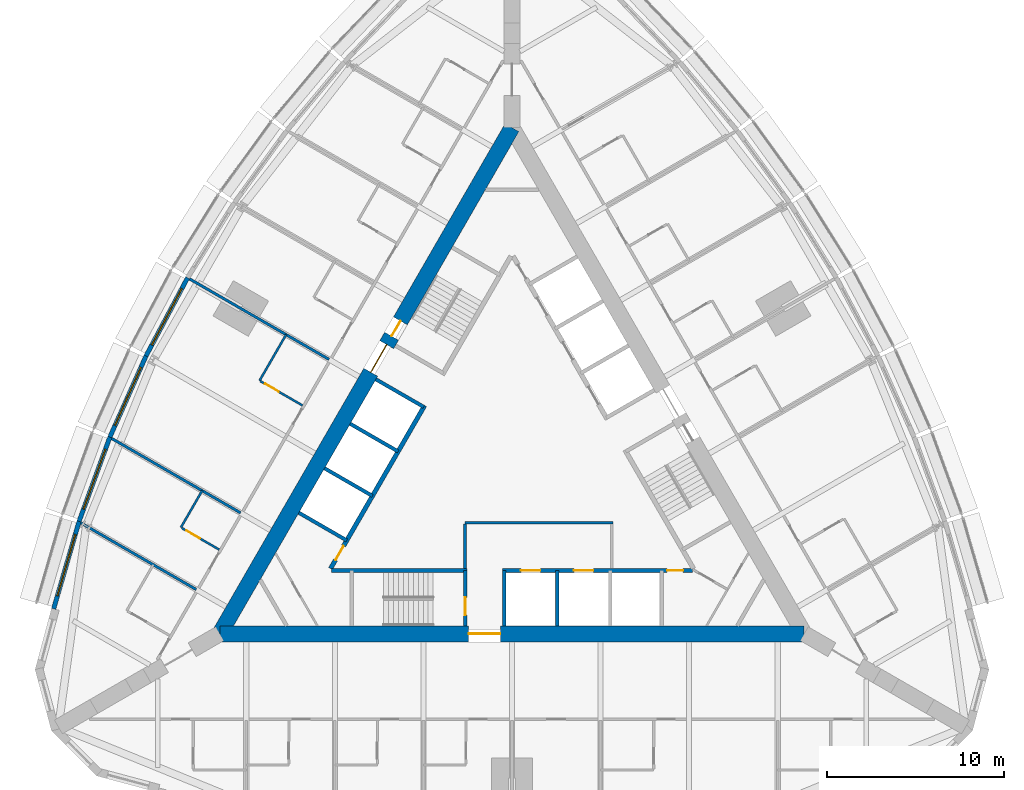
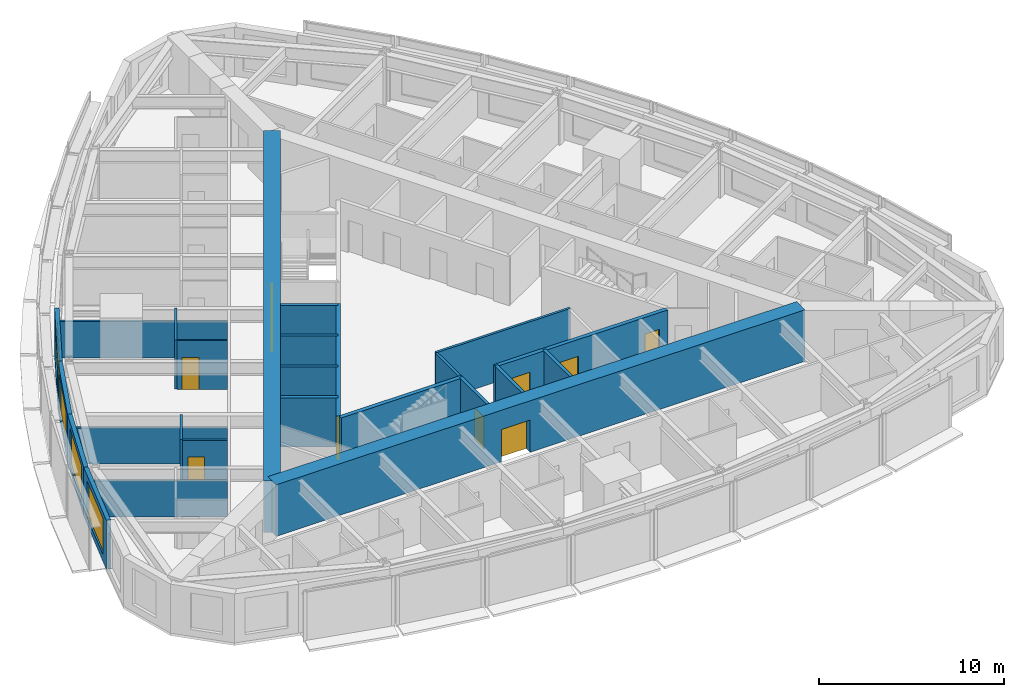
# One storey, part 9 of 14: 25 walls, 10 doors, 4 windows, 14 openings.
"""IFC4 building model written with IfcOpenShell, lengths in metres."""

from ifc_helpers import new_model, si_unit, direction, frame, frame_2d, origin, place, context, subcontext, project, spatial, rectangle, extrude, material, layer, layer_set, type_object, element, fill, save


model = new_model("IFC4")

# Units and contexts
model_context = context("Model", 3, precision=1e-05, world=origin(), true_north=direction((0.0, 1.0)))
body_context = subcontext(model_context, "Body", "Model", "MODEL_VIEW")
ifc_project = project(units=[si_unit("LENGTHUNIT", "METRE"), si_unit("AREAUNIT", "SQUARE_METRE"), si_unit("VOLUMEUNIT", "CUBIC_METRE"), si_unit("PLANEANGLEUNIT", "RADIAN"), si_unit("MASSUNIT", "GRAM", prefix="KILO")], contexts=[model_context])

# Site, building, storey
site_placement = place(None, origin())
site = spatial("IfcSite", under=ifc_project, at=site_placement, CompositionType="ELEMENT")
building_placement = place(site_placement, origin())
building = spatial("IfcBuilding", under=site, at=building_placement, Name="Trikona Tower", CompositionType="ELEMENT")
storey_placement = place(building_placement, frame((0.0, 0.0, 118.10009765625)))
storey = spatial("IfcBuildingStorey", under=building, at=storey_placement, Name="L30", CompositionType="ELEMENT", Elevation=118.10009765625)

# Wall
ifc_material_1 = material(Name="Metal stud and cement board", Category="gypsum")
ifc_layer_1 = layer(ifc_material_1, 0.1201171875)
ifc_layer_set_1 = layer_set([ifc_layer_1], Name="Bathroom wall 120")
wall_type_1 = type_object("IfcWallType", Name="Bathroom wall 120", PredefinedType="PLUMBINGWALL", material=ifc_layer_set_1)
wall_1_placement = place(storey_placement, frame((-12.75341796875, 7.363037109375, 0.0), z_axis=(0.0, 0.0, 1.0), x_axis=(-0.50002537861, -0.866010750942, 0.0)))
element("IfcWall", 1, at=wall_1_placement, inside=storey, type_object=wall_type_1, Name="Bathroom wall 3017", PredefinedType="PLUMBINGWALL", context=body_context, shape_type="SweptSolid", body=[
    extrude(rectangle(XDim=2.999755859375, YDim=0.1201171875, at=frame_2d((1.5, 0.0))), origin(), (0.0, 0.0, 1.0), 3.23486328125),
])

# Wall, opening, door
wall_2_placement = place(storey_placement, frame((-11.82861328125, 3.364990234375, 0.0), z_axis=(0.0, 0.0, 1.0), x_axis=(-0.865997131366, 0.500048966069, 0.0)))
wall_2 = element("IfcWall", 2, at=wall_2_placement, inside=storey, type_object=wall_type_1, Name="Bathroom wall 3017", PredefinedType="PLUMBINGWALL", context=body_context, shape_type="SweptSolid", body=[
    extrude(rectangle(XDim=2.739990234375, YDim=0.1201171875, at=frame_2d((1.3701171875, 0.0))), origin(), (0.0, 0.0, 1.0), 3.23486328125),
])
opening_1_placement = place(wall_2_placement, frame((1.550048828125, 0.0, 0.0)))
opening_1 = element("IfcOpeningElement", 3, at=opening_1_placement, cuts=wall_2, Name="Opening D2", PredefinedType="OPENING", context=body_context, shape_type="SweptSolid", body=[
    extrude(rectangle(XDim=0.89990234375, YDim=2.1298828125, at=frame_2d((0.449951171875, 1.06494140625))), frame((0.0, 0.070068359375, 0.0), z_axis=(0.0, -1.0, 0.0), x_axis=(1.0, 0.0, 0.0)), (0.0, 0.0, 1.0), 0.14013671875),
])
ifc_material_2 = material(Name="Steel door frame with solid-core timber leaf", Category="steel")
door_type_1 = type_object("IfcDoorType", Name="Bathroom door 900x2130", OperationType="SLIDING_TO_LEFT", PredefinedType="DOOR", material=ifc_material_2)
door_1_placement = place(opening_1_placement, origin())
door_1 = element("IfcDoor", 4, at=door_1_placement, inside=storey, type_object=door_type_1, Name="Bathroom door 3017", OperationType="SLIDING_TO_LEFT", OverallHeight=2.1298828125, OverallWidth=0.89990234375, PredefinedType="DOOR", context=body_context, shape_type="SweptSolid", body=[
    extrude(rectangle(XDim=0.89990234375, YDim=2.1298828125, at=frame_2d((0.449951171875, 1.06494140625))), frame((0.0, 0.02490234375, 0.0), z_axis=(0.0, -1.0, 0.0), x_axis=(1.0, 0.0, 0.0)), (0.0, 0.0, 1.0), 0.050048828125),
])
fill(opening_1, door_1)

# Wall
wall_3_placement = place(storey_placement, frame((-17.493408203125, -1.447021484375, 0.0), z_axis=(0.0, 0.0, 1.0), x_axis=(-0.500033551112, -0.866006032174, 0.0)))
element("IfcWall", 5, at=wall_3_placement, inside=storey, type_object=wall_type_1, Name="Bathroom wall 3018", PredefinedType="PLUMBINGWALL", context=body_context, shape_type="SweptSolid", body=[
    extrude(rectangle(XDim=2.400146484375, YDim=0.1201171875, at=frame_2d((1.2001953125, 0.0))), origin(), (0.0, 0.0, 1.0), 3.23486328125),
])

# Wall, opening, door
wall_4_placement = place(storey_placement, frame((-16.528564453125, -4.775634765625, 0.0), z_axis=(0.0, 0.0, 1.0), x_axis=(-0.866023955769, 0.500002508028, 0.0)))
wall_4 = element("IfcWall", 6, at=wall_4_placement, inside=storey, type_object=wall_type_1, Name="Bathroom wall 3018", PredefinedType="PLUMBINGWALL", context=body_context, shape_type="SweptSolid", body=[
    extrude(rectangle(XDim=2.43994140625, YDim=0.1201171875, at=frame_2d((1.219970703125, 0.0))), origin(), (0.0, 0.0, 1.0), 3.23486328125),
])
opening_2_placement = place(wall_4_placement, frame((1.25, 0.0, 0.0)))
opening_2 = element("IfcOpeningElement", 7, at=opening_2_placement, cuts=wall_4, Name="Opening D2", PredefinedType="OPENING", context=body_context, shape_type="SweptSolid", body=[
    extrude(rectangle(XDim=0.89990234375, YDim=2.1298828125, at=frame_2d((0.449951171875, 1.06494140625))), frame((0.0, 0.070068359375, 0.0), z_axis=(0.0, -1.0, 0.0), x_axis=(1.0, 0.0, 0.0)), (0.0, 0.0, 1.0), 0.14013671875),
])
door_2_placement = place(opening_2_placement, origin())
door_2 = element("IfcDoor", 8, at=door_2_placement, inside=storey, type_object=door_type_1, Name="Bathroom door 3018", OperationType="SLIDING_TO_LEFT", OverallHeight=2.1298828125, OverallWidth=0.89990234375, PredefinedType="DOOR", context=body_context, shape_type="SweptSolid", body=[
    extrude(rectangle(XDim=0.89990234375, YDim=2.1298828125, at=frame_2d((0.449951171875, 1.06494140625))), frame((0.0, 0.02490234375, 0.0), z_axis=(0.0, -1.0, 0.0), x_axis=(1.0, 0.0, 0.0)), (0.0, 0.0, 1.0), 0.050048828125),
])
fill(opening_2, door_2)

ifc_material_3 = material(Name="Concrete f'c 10000 psi", Category="concrete")
ifc_layer_2 = layer(ifc_material_3, 0.89990234375)
ifc_layer_set_2 = layer_set([ifc_layer_2], Name="Core wall 900")
wall_type_2 = type_object("IfcWallType", Name="Core wall 900", PredefinedType="SHEAR", material=ifc_layer_set_2)
wall_5_placement = place(storey_placement, frame((-16.5, -9.5263671875, 0.0), z_axis=(0.0, 0.0, 1.0), x_axis=(1.0, 0.0, 0.0)))
wall_5 = element("IfcWall", 9, at=wall_5_placement, inside=storey, type_object=wall_type_2, Name="Core wall A", PredefinedType="SHEAR", context=body_context, shape_type="SweptSolid", body=[
    extrude(rectangle(XDim=33.0, YDim=0.89990234375, at=frame_2d((16.5, 0.0))), origin(), (0.0, 0.0, 1.0), 3.39990234375),
])
opening_3_placement = place(wall_5_placement, frame((14.050048828125, 0.0, 0.0)))
opening_3 = element("IfcOpeningElement", 10, at=opening_3_placement, cuts=wall_5, Name="Opening D6", PredefinedType="OPENING", context=body_context, shape_type="SweptSolid", body=[
    extrude(rectangle(XDim=1.800048828125, YDim=2.1298828125, at=frame_2d((0.89990234375, 1.06494140625))), frame((0.0, 0.4599609375, 0.0), z_axis=(0.0, -1.0, 0.0), x_axis=(1.0, 0.0, 0.0)), (0.0, 0.0, 1.0), 0.919921875),
])
ifc_material_4 = material(Name="Hollow metal door and frame", Category="steel")
door_type_2 = type_object("IfcDoorType", Name="Lobby door pair 1800x2130", OperationType="DOUBLE_DOOR_SINGLE_SWING", PredefinedType="DOOR", material=ifc_material_4)
door_3_placement = place(opening_3_placement, origin())
door_3 = element("IfcDoor", 11, at=door_3_placement, inside=storey, type_object=door_type_2, Name="Fire service lift lobby door", OperationType="DOUBLE_DOOR_SINGLE_SWING", OverallHeight=2.1298828125, OverallWidth=1.800048828125, PredefinedType="DOOR", context=body_context, shape_type="SweptSolid", body=[
    extrude(rectangle(XDim=1.800048828125, YDim=2.1298828125, at=frame_2d((0.89990234375, 1.06494140625))), frame((0.0, 0.02490234375, 0.0), z_axis=(0.0, -1.0, 0.0), x_axis=(1.0, 0.0, 0.0)), (0.0, 0.0, 1.0), 0.050048828125),
])
fill(opening_3, door_3)

# Wall, openings, doors
wall_6_placement = place(storey_placement, frame((0.0, 19.052490234375, 0.0), z_axis=(0.0, 0.0, 1.0), x_axis=(-0.499999749417, -0.866025548458, 0.0)))
wall_6 = element("IfcWall", 12, at=wall_6_placement, inside=storey, type_object=wall_type_2, Name="Core wall C", PredefinedType="SHEAR", context=body_context, shape_type="SweptSolid", body=[
    extrude(rectangle(XDim=33.0, YDim=0.89990234375, at=frame_2d((16.5, 0.0))), origin(), (0.0, 0.0, 1.0), 3.39990234375),
])
opening_4_placement = place(wall_6_placement, frame((14.14990234375, 0.0, 0.0)))
opening_4 = element("IfcOpeningElement", 13, at=opening_4_placement, cuts=wall_6, Name="Opening D6", PredefinedType="OPENING", context=body_context, shape_type="SweptSolid", body=[
    extrude(rectangle(XDim=1.800048828125, YDim=2.1298828125, at=frame_2d((0.89990234375, 1.06494140625))), frame((0.0, 0.4599609375, 0.0), z_axis=(0.0, -1.0, 0.0), x_axis=(1.0, 0.0, 0.0)), (0.0, 0.0, 1.0), 0.919921875),
])
opening_5_placement = place(wall_6_placement, frame((12.60009765625, 0.0, 0.0)))
opening_5 = element("IfcOpeningElement", 14, at=opening_5_placement, cuts=wall_6, Name="Opening D5", PredefinedType="OPENING", context=body_context, shape_type="SweptSolid", body=[
    extrude(rectangle(XDim=1.0, YDim=2.1298828125, at=frame_2d((0.5, 1.06494140625))), frame((0.0, 0.4599609375, 0.0), z_axis=(0.0, -1.0, 0.0), x_axis=(1.0, 0.0, 0.0)), (0.0, 0.0, 1.0), 0.919921875),
])
door_4_placement = place(opening_4_placement, origin())
door_4 = element("IfcDoor", 15, at=door_4_placement, inside=storey, type_object=door_type_2, Name="Lift lobby door C", OperationType="DOUBLE_DOOR_SINGLE_SWING", OverallHeight=2.1298828125, OverallWidth=1.800048828125, PredefinedType="DOOR", context=body_context, shape_type="SweptSolid", body=[
    extrude(rectangle(XDim=1.800048828125, YDim=2.1298828125, at=frame_2d((0.89990234375, 1.06494140625))), frame((0.0, 0.02490234375, 0.0), z_axis=(0.0, -1.0, 0.0), x_axis=(1.0, 0.0, 0.0)), (0.0, 0.0, 1.0), 0.050048828125),
])
fill(opening_4, door_4)
ifc_material_5 = material(Name="Hollow metal door and frame", Category="steel")
door_type_3 = type_object("IfcDoorType", Name="Stair door 1000x2130", OperationType="SINGLE_SWING_LEFT", PredefinedType="DOOR", material=ifc_material_5)
door_5_placement = place(opening_5_placement, origin())
door_5 = element("IfcDoor", 16, at=door_5_placement, inside=storey, type_object=door_type_3, Name="Stair C door", OperationType="SINGLE_SWING_RIGHT", OverallHeight=2.1298828125, OverallWidth=1.0, PredefinedType="DOOR", context=body_context, shape_type="SweptSolid", body=[
    extrude(rectangle(XDim=1.0, YDim=2.1298828125, at=frame_2d((0.5, 1.06494140625))), frame((0.0, 0.02490234375, 0.0), z_axis=(0.0, -1.0, 0.0), x_axis=(1.0, 0.0, 0.0)), (0.0, 0.0, 1.0), 0.050048828125),
])
fill(opening_5, door_5)

# Wall
ifc_material_6 = material(Name="Concrete f'c 8000 psi", Category="concrete")
ifc_layer_3 = layer(ifc_material_6, 0.25)
ifc_layer_set_3 = layer_set([ifc_layer_3], Name="Hub wall 250")
wall_type_3 = type_object("IfcWallType", Name="Hub wall 250", PredefinedType="SOLIDWALL", material=ifc_layer_set_3)
wall_7_placement = place(storey_placement, frame((-10.182861328125, -5.951416015625, 0.0), z_axis=(0.0, 0.0, 1.0), x_axis=(1.0, 0.0, 0.0)))
element("IfcWall", 17, at=wall_7_placement, inside=storey, type_object=wall_type_3, Name="Lift lobby wall A1", PredefinedType="SOLIDWALL", context=body_context, shape_type="SweptSolid", body=[
    extrude(rectangle(XDim=7.6328125, YDim=0.25, at=frame_2d((3.81640625, 0.0))), origin(), (0.0, 0.0, 1.0), 3.23486328125),
])

# Wall, openings, doors
wall_8_placement = place(storey_placement, frame((-0.550048828125, -5.951416015625, 0.0), z_axis=(0.0, 0.0, 1.0), x_axis=(1.0, 0.0, 0.0)))
wall_8 = element("IfcWall", 18, at=wall_8_placement, inside=storey, type_object=wall_type_3, Name="Lift lobby wall A2", PredefinedType="SOLIDWALL", context=body_context, shape_type="SweptSolid", body=[
    extrude(rectangle(XDim=10.73291015625, YDim=0.25, at=frame_2d((5.366455078125, 0.0))), origin(), (0.0, 0.0, 1.0), 3.23486328125),
])
opening_6_placement = place(wall_8_placement, frame((9.31396484375, 0.0, 0.0)))
opening_6 = element("IfcOpeningElement", 19, at=opening_6_placement, cuts=wall_8, Name="Opening D14", PredefinedType="OPENING", context=body_context, shape_type="SweptSolid", body=[
    extrude(rectangle(XDim=0.89990234375, YDim=2.1298828125, at=frame_2d((0.449951171875, 1.06494140625))), frame((0.0, 0.135009765625, 0.0), z_axis=(0.0, -1.0, 0.0), x_axis=(1.0, 0.0, 0.0)), (0.0, 0.0, 1.0), 0.27001953125),
])
opening_7_placement = place(wall_8_placement, frame((1.050048828125, 0.0, 0.0)))
opening_7 = element("IfcOpeningElement", 20, at=opening_7_placement, cuts=wall_8, Name="Opening LD", PredefinedType="OPENING", context=body_context, shape_type="SweptSolid", body=[
    extrude(rectangle(XDim=1.10009765625, YDim=2.1298828125, at=frame_2d((0.550048828125, 1.06494140625))), frame((0.0, 0.135009765625, 0.0), z_axis=(0.0, -1.0, 0.0), x_axis=(1.0, 0.0, 0.0)), (0.0, 0.0, 1.0), 0.27001953125),
])
opening_8_placement = place(wall_8_placement, frame((4.050048828125, 0.0, 0.0)))
opening_8 = element("IfcOpeningElement", 21, at=opening_8_placement, cuts=wall_8, Name="Opening LD", PredefinedType="OPENING", context=body_context, shape_type="SweptSolid", body=[
    extrude(rectangle(XDim=1.10009765625, YDim=2.1298828125, at=frame_2d((0.550048828125, 1.06494140625))), frame((0.0, 0.135009765625, 0.0), z_axis=(0.0, -1.0, 0.0), x_axis=(1.0, 0.0, 0.0)), (0.0, 0.0, 1.0), 0.27001953125),
])
ifc_material_7 = material(Name="Stainless steel lift landing door", Category="steel")
door_type_4 = type_object("IfcDoorType", Name="Lift landing door 1100x2130", OperationType="DOUBLE_DOOR_SLIDING", PredefinedType="USERDEFINED", material=ifc_material_7)
door_6_placement = place(opening_7_placement, origin())
door_6 = element("IfcDoor", 22, at=door_6_placement, inside=storey, type_object=door_type_4, Name="Lift landing door FF1", ObjectType="LIFT LANDING DOOR", OperationType="DOUBLE_DOOR_SLIDING", OverallHeight=2.1298828125, OverallWidth=1.10009765625, PredefinedType="USERDEFINED", context=body_context, shape_type="SweptSolid", body=[
    extrude(rectangle(XDim=1.10009765625, YDim=2.1298828125, at=frame_2d((0.550048828125, 1.06494140625))), frame((0.0, 0.02490234375, 0.0), z_axis=(0.0, -1.0, 0.0), x_axis=(1.0, 0.0, 0.0)), (0.0, 0.0, 1.0), 0.050048828125),
])
fill(opening_7, door_6)
door_7_placement = place(opening_8_placement, origin())
door_7 = element("IfcDoor", 23, at=door_7_placement, inside=storey, type_object=door_type_4, Name="Lift landing door FF2", ObjectType="LIFT LANDING DOOR", OperationType="DOUBLE_DOOR_SLIDING", OverallHeight=2.1298828125, OverallWidth=1.10009765625, PredefinedType="USERDEFINED", context=body_context, shape_type="SweptSolid", body=[
    extrude(rectangle(XDim=1.10009765625, YDim=2.1298828125, at=frame_2d((0.550048828125, 1.06494140625))), frame((0.0, 0.02490234375, 0.0), z_axis=(0.0, -1.0, 0.0), x_axis=(1.0, 0.0, 0.0)), (0.0, 0.0, 1.0), 0.050048828125),
])
fill(opening_8, door_7)
ifc_material_8 = material(Name="Hollow metal door and frame", Category="steel")
door_type_5 = type_object("IfcDoorType", Name="Service room door 900x2130", OperationType="SINGLE_SWING_LEFT", PredefinedType="DOOR", material=ifc_material_8)
door_8_placement = place(opening_6_placement, origin())
door_8 = element("IfcDoor", 24, at=door_8_placement, inside=storey, type_object=door_type_5, Name="Door Ice and vending ICE", OperationType="SINGLE_SWING_RIGHT", OverallHeight=2.1298828125, OverallWidth=0.89990234375, PredefinedType="DOOR", context=body_context, shape_type="SweptSolid", body=[
    extrude(rectangle(XDim=0.89990234375, YDim=2.1298828125, at=frame_2d((0.449951171875, 1.06494140625))), frame((0.0, 0.02490234375, 0.0), z_axis=(0.0, -1.0, 0.0), x_axis=(1.0, 0.0, 0.0)), (0.0, 0.0, 1.0), 0.050048828125),
])
fill(opening_6, door_8)

# Wall, opening, door
wall_9_placement = place(storey_placement, frame((-4.928955078125, 3.365478515625, 0.0), z_axis=(0.0, 0.0, 1.0), x_axis=(-0.499991433582, -0.866030349552, 0.0)))
wall_9 = element("IfcWall", 25, at=wall_9_placement, inside=storey, type_object=wall_type_3, Name="Lift lobby wall C2", PredefinedType="SOLIDWALL", context=body_context, shape_type="SweptSolid", body=[
    extrude(rectangle(XDim=10.633056640625, YDim=0.25, at=frame_2d((5.31640625, 0.0))), origin(), (0.0, 0.0, 1.0), 3.23486328125),
])
opening_9_placement = place(wall_9_placement, frame((9.1640625, 0.0, 0.0)))
opening_9 = element("IfcOpeningElement", 26, at=opening_9_placement, cuts=wall_9, Name="Opening D14", PredefinedType="OPENING", context=body_context, shape_type="SweptSolid", body=[
    extrude(rectangle(XDim=0.89990234375, YDim=2.1298828125, at=frame_2d((0.449951171875, 1.06494140625))), frame((0.0, 0.135009765625, 0.0), z_axis=(0.0, -1.0, 0.0), x_axis=(1.0, 0.0, 0.0)), (0.0, 0.0, 1.0), 0.27001953125),
])
door_9_placement = place(opening_9_placement, origin())
door_9 = element("IfcDoor", 27, at=door_9_placement, inside=storey, type_object=door_type_5, Name="Door Housekeeping store HKS", OperationType="SINGLE_SWING_RIGHT", OverallHeight=2.1298828125, OverallWidth=0.89990234375, PredefinedType="DOOR", context=body_context, shape_type="SweptSolid", body=[
    extrude(rectangle(XDim=0.89990234375, YDim=2.1298828125, at=frame_2d((0.449951171875, 1.06494140625))), frame((0.0, 0.02490234375, 0.0), z_axis=(0.0, -1.0, 0.0), x_axis=(1.0, 0.0, 0.0)), (0.0, 0.0, 1.0), 0.050048828125),
])
fill(opening_9, door_9)

# Wall, opening, window
ifc_material_9 = material(Name="Insulated precast concrete spandrel panel", Category="concrete")
ifc_layer_4 = layer(ifc_material_9, 0.25)
ifc_layer_set_4 = layer_set([ifc_layer_4], Name="Inner skin wall 250")
wall_type_4 = type_object("IfcWallType", Name="Inner skin wall 250", PredefinedType="STANDARD", material=ifc_layer_set_4)
wall_10_placement = place(storey_placement, frame((-18.314453125, 10.578857421875, 0.0), z_axis=(0.0, 0.0, 1.0), x_axis=(-0.469404966864, -0.882982999317, 0.0)))
wall_10 = element("IfcWall", 28, at=wall_10_placement, inside=storey, type_object=wall_type_4, Name="External wall L30-28", PredefinedType="STANDARD", context=body_context, shape_type="SweptSolid", body=[
    extrude(rectangle(XDim=5.0029296875, YDim=0.25, at=frame_2d((2.50146484375, 0.0))), origin(), (0.0, 0.0, 1.0), 3.23486328125),
])
opening_10_placement = place(wall_10_placement, frame((0.701416015625, 0.0, 0.449951171875)))
opening_10 = element("IfcOpeningElement", 29, at=opening_10_placement, cuts=wall_10, Name="Opening W3624", PredefinedType="OPENING", context=body_context, shape_type="SweptSolid", body=[
    extrude(rectangle(XDim=3.60009765625, YDim=2.39990234375, at=frame_2d((1.800048828125, 1.199951171875))), frame((0.0, 0.135009765625, 0.0), z_axis=(0.0, -1.0, 0.0), x_axis=(1.0, 0.0, 0.0)), (0.0, 0.0, 1.0), 0.27001953125),
])
ifc_material_10 = material(Name="Aluminium-framed double glazing", Category="aluminium")
window_type = type_object("IfcWindowType", Name="Window 3600x2400", PartitioningType="SINGLE_PANEL", PredefinedType="WINDOW", material=ifc_material_10)
window_1_placement = place(opening_10_placement, origin())
window_1 = element("IfcWindow", 30, at=window_1_placement, inside=storey, type_object=window_type, Name="Window 3017", OverallHeight=2.39990234375, OverallWidth=3.60009765625, PartitioningType="SINGLE_PANEL", PredefinedType="WINDOW", context=body_context, shape_type="SweptSolid", body=[
    extrude(rectangle(XDim=3.60009765625, YDim=2.39990234375, at=frame_2d((1.800048828125, 1.199951171875))), frame((0.0, 0.030029296875, 0.0), z_axis=(0.0, -1.0, 0.0), x_axis=(1.0, 0.0, 0.0)), (0.0, 0.0, 1.0), 0.06005859375),
])
fill(opening_10, window_1)

wall_11_placement = place(storey_placement, frame((-20.6591796875, 6.169189453125, 0.0), z_axis=(0.0, 0.0, 1.0), x_axis=(-0.406832200364, -0.913502906808, 0.0)))
wall_11 = element("IfcWall", 31, at=wall_11_placement, inside=storey, type_object=wall_type_4, Name="External wall L30-29", PredefinedType="STANDARD", context=body_context, shape_type="SweptSolid", body=[
    extrude(rectangle(XDim=5.027587890625, YDim=0.25, at=frame_2d((2.513671875, 0.0))), origin(), (0.0, 0.0, 1.0), 3.23486328125),
])
opening_11_placement = place(wall_11_placement, frame((0.713623046875, 0.0, 0.449951171875)))
opening_11 = element("IfcOpeningElement", 32, at=opening_11_placement, cuts=wall_11, Name="Opening W3624", PredefinedType="OPENING", context=body_context, shape_type="SweptSolid", body=[
    extrude(rectangle(XDim=3.60009765625, YDim=2.39990234375, at=frame_2d((1.800048828125, 1.199951171875))), frame((0.0, 0.135009765625, 0.0), z_axis=(0.0, -1.0, 0.0), x_axis=(1.0, 0.0, 0.0)), (0.0, 0.0, 1.0), 0.27001953125),
])
window_2_placement = place(opening_11_placement, origin())
window_2 = element("IfcWindow", 33, at=window_2_placement, inside=storey, type_object=window_type, Name="Window 3017", OverallHeight=2.39990234375, OverallWidth=3.60009765625, PartitioningType="SINGLE_PANEL", PredefinedType="WINDOW", context=body_context, shape_type="SweptSolid", body=[
    extrude(rectangle(XDim=3.60009765625, YDim=2.39990234375, at=frame_2d((1.800048828125, 1.199951171875))), frame((0.0, 0.030029296875, 0.0), z_axis=(0.0, -1.0, 0.0), x_axis=(1.0, 0.0, 0.0)), (0.0, 0.0, 1.0), 0.06005859375),
])
fill(opening_11, window_2)

wall_12_placement = place(storey_placement, frame((-22.701416015625, 1.58447265625, 0.0), z_axis=(0.0, 0.0, 1.0), x_axis=(-0.343225593282, -0.939252996863, 0.0)))
wall_12 = element("IfcWall", 34, at=wall_12_placement, inside=storey, type_object=wall_type_4, Name="External wall L30-30", PredefinedType="STANDARD", context=body_context, shape_type="SweptSolid", body=[
    extrude(rectangle(XDim=5.075927734375, YDim=0.25, at=frame_2d((2.5380859375, 0.0))), origin(), (0.0, 0.0, 1.0), 3.23486328125),
])
opening_12_placement = place(wall_12_placement, frame((0.738037109375, 0.0, 0.449951171875)))
opening_12 = element("IfcOpeningElement", 35, at=opening_12_placement, cuts=wall_12, Name="Opening W3624", PredefinedType="OPENING", context=body_context, shape_type="SweptSolid", body=[
    extrude(rectangle(XDim=3.60009765625, YDim=2.39990234375, at=frame_2d((1.800048828125, 1.199951171875))), frame((0.0, 0.135009765625, 0.0), z_axis=(0.0, -1.0, 0.0), x_axis=(1.0, 0.0, 0.0)), (0.0, 0.0, 1.0), 0.27001953125),
])
window_3_placement = place(opening_12_placement, origin())
window_3 = element("IfcWindow", 36, at=window_3_placement, inside=storey, type_object=window_type, Name="Window 3018", OverallHeight=2.39990234375, OverallWidth=3.60009765625, PartitioningType="SINGLE_PANEL", PredefinedType="WINDOW", context=body_context, shape_type="SweptSolid", body=[
    extrude(rectangle(XDim=3.60009765625, YDim=2.39990234375, at=frame_2d((1.800048828125, 1.199951171875))), frame((0.0, 0.030029296875, 0.0), z_axis=(0.0, -1.0, 0.0), x_axis=(1.0, 0.0, 0.0)), (0.0, 0.0, 1.0), 0.06005859375),
])
fill(opening_12, window_3)

wall_13_placement = place(storey_placement, frame((-24.44091796875, -3.17529296875, 0.0), z_axis=(0.0, 0.0, 1.0), x_axis=(-0.279528287117, -0.960137457191, 0.0)))
wall_13 = element("IfcWall", 37, at=wall_13_placement, inside=storey, type_object=wall_type_4, Name="External wall L30-31", PredefinedType="STANDARD", context=body_context, shape_type="SweptSolid", body=[
    extrude(rectangle(XDim=5.14794921875, YDim=0.25, at=frame_2d((2.573974609375, 0.0))), origin(), (0.0, 0.0, 1.0), 3.23486328125),
])
opening_13_placement = place(wall_13_placement, frame((0.77392578125, 0.0, 0.449951171875)))
opening_13 = element("IfcOpeningElement", 38, at=opening_13_placement, cuts=wall_13, Name="Opening W3624", PredefinedType="OPENING", context=body_context, shape_type="SweptSolid", body=[
    extrude(rectangle(XDim=3.60009765625, YDim=2.39990234375, at=frame_2d((1.800048828125, 1.199951171875))), frame((0.0, 0.135009765625, 0.0), z_axis=(0.0, -1.0, 0.0), x_axis=(1.0, 0.0, 0.0)), (0.0, 0.0, 1.0), 0.27001953125),
])
window_4_placement = place(opening_13_placement, origin())
window_4 = element("IfcWindow", 39, at=window_4_placement, inside=storey, type_object=window_type, Name="Window 3019", OverallHeight=2.39990234375, OverallWidth=3.60009765625, PartitioningType="SINGLE_PANEL", PredefinedType="WINDOW", context=body_context, shape_type="SweptSolid", body=[
    extrude(rectangle(XDim=3.60009765625, YDim=2.39990234375, at=frame_2d((1.800048828125, 1.199951171875))), frame((0.0, 0.030029296875, 0.0), z_axis=(0.0, -1.0, 0.0), x_axis=(1.0, 0.0, 0.0)), (0.0, 0.0, 1.0), 0.06005859375),
])
fill(opening_13, window_4)

# Walls
ifc_material_11 = material(Name="Metal stud and gypsum board, 2-hour shaft wall", Category="gypsum")
ifc_layer_5 = layer(ifc_material_11, 0.14990234375)
ifc_layer_set_5 = layer_set([ifc_layer_5], Name="Lobby wall 150")
wall_type_5 = type_object("IfcWallType", Name="Lobby wall 150", PredefinedType="PARTITIONING", material=ifc_layer_set_5)
wall_14_placement = place(storey_placement, frame((-2.64990234375, -3.251220703125, 0.0), z_axis=(0.0, 0.0, 1.0), x_axis=(1.0, 0.0, 0.0)))
element("IfcWall", 40, at=wall_14_placement, inside=storey, type_object=wall_type_5, Name="Fire service lift lobby wall 1", PredefinedType="PARTITIONING", context=body_context, shape_type="SweptSolid", body=[
    extrude(rectangle(XDim=8.349853515625, YDim=0.14990234375, at=frame_2d((4.1748046875, 0.0))), origin(), (0.0, 0.0, 1.0), 3.23486328125),
])
wall_15_placement = place(storey_placement, frame((-2.64990234375, -5.826416015625, 0.0), z_axis=(0.0, 0.0, 1.0), x_axis=(0.0, 1.0, 0.0)))
element("IfcWall", 41, at=wall_15_placement, inside=storey, type_object=wall_type_5, Name="Fire service lift lobby wall 2", PredefinedType="PARTITIONING", context=body_context, shape_type="SweptSolid", body=[
    extrude(rectangle(XDim=2.5, YDim=0.14990234375, at=frame_2d((1.25, 0.0))), origin(), (0.0, 0.0, 1.0), 3.23486328125),
])
ifc_material_12 = material(Name="Metal stud and gypsum board, 1-hour acoustic", Category="gypsum")
ifc_layer_6 = layer(ifc_material_12, 0.14990234375)
ifc_layer_set_6 = layer_set([ifc_layer_6], Name="Party wall 150")
wall_type_6 = type_object("IfcWallType", Name="Party wall 150", PredefinedType="PARTITIONING", material=ifc_layer_set_6)
wall_16_placement = place(storey_placement, frame((-10.32861328125, 5.963134765625, 0.0), z_axis=(0.0, 0.0, 1.0), x_axis=(-0.866025170687, 0.500000403736, 0.0)))
element("IfcWall", 42, at=wall_16_placement, inside=storey, type_object=wall_type_6, Name="Partition L30 F3 u0", PredefinedType="PARTITIONING", context=body_context, shape_type="SweptSolid", body=[
    extrude(rectangle(XDim=9.0986328125, YDim=0.14990234375, at=frame_2d((4.54931640625, 0.0))), origin(), (0.0, 0.0, 1.0), 2.38916015625),
])
wall_17_placement = place(storey_placement, frame((-15.32861328125, -2.697021484375, 0.0), z_axis=(0.0, 0.0, 1.0), x_axis=(-0.866024316602, 0.50000188305, 0.0)))
element("IfcWall", 43, at=wall_17_placement, inside=storey, type_object=wall_type_6, Name="Partition L30 F3 u10", PredefinedType="PARTITIONING", context=body_context, shape_type="SweptSolid", body=[
    extrude(rectangle(XDim=8.39501953125, YDim=0.14990234375, at=frame_2d((4.197509765625, 0.0))), origin(), (0.0, 0.0, 1.0), 2.38916015625),
])
wall_18_placement = place(storey_placement, frame((-17.82861328125, -7.027099609375, 0.0), z_axis=(0.0, 0.0, 1.0), x_axis=(-0.866029804378, 0.499992377871, 0.0)))
element("IfcWall", 44, at=wall_18_placement, inside=storey, type_object=wall_type_6, Name="Partition L30 F3 u15", PredefinedType="PARTITIONING", context=body_context, shape_type="SweptSolid", body=[
    extrude(rectangle(XDim=7.51611328125, YDim=0.14990234375, at=frame_2d((3.758056640625, 0.0))), origin(), (0.0, 0.0, 1.0), 2.38916015625),
])
ifc_material_13 = material(Name="Concrete f'c 8000 psi", Category="concrete")
ifc_layer_7 = layer(ifc_material_13, 0.199951171875)
ifc_layer_set_7 = layer_set([ifc_layer_7], Name="Shaft wall 200")
wall_type_7 = type_object("IfcWallType", Name="Shaft wall 200", PredefinedType="SOLIDWALL", material=ifc_layer_set_7)
for number, where, z_axis, x_axis, name in (
    (45, (-0.449951171875, -5.951416015625, 0.0), (0.0, 0.0, 1.0), (0.0, -1.0, 0.0), "Shaft wall A3"),
    (46, (2.550048828125, -5.951416015625, 0.0), (0.0, 0.0, 1.0), (0.0, -1.0, 0.0), "Shaft wall A4"),
    (47, (-4.97900390625, 3.27880859375, 0.0), (0.0, 0.0, 1.0), (-0.866022959057, 0.500004234368, 0.0), "Shaft wall C3"),
    (48, (-6.428955078125, 0.767333984375, 0.0), (0.0, 0.0, 1.0), (-0.866022959057, 0.500004234368, 0.0), "Shaft wall C4"),
    (49, (-7.87890625, -1.744140625, 0.0), (0.0, 0.0, 1.0), (-0.866022959057, 0.500004234368, 0.0), "Shaft wall C5"),
    (50, (-9.3291015625, -4.255615234375, 0.0), (0.0, 0.0, 1.0), (-0.866022959057, 0.500004234368, 0.0), "Shaft wall C6"),
):
    element("IfcWall", number, at=place(storey_placement, frame(where, z_axis=z_axis, x_axis=x_axis)), inside=storey, type_object=wall_type_7, Name=name, PredefinedType="SOLIDWALL", context=body_context, shape_type="SweptSolid", body=[
        extrude(rectangle(XDim=3.125, YDim=0.199951171875, at=frame_2d((1.5625, 0.0))), origin(), (0.0, 0.0, 1.0), 3.23486328125),
    ])

# Wall, opening, door
ifc_material_14 = material(Name="Concrete f'c 8000 psi", Category="concrete")
ifc_layer_8 = layer(ifc_material_14, 0.199951171875)
ifc_layer_set_8 = layer_set([ifc_layer_8], Name="Shaft wall 200 load-bearing")
wall_type_8 = type_object("IfcWallType", Name="Shaft wall 200 load-bearing", PredefinedType="SOLIDWALL", material=ifc_layer_set_8)
wall_19_placement = place(storey_placement, frame((-2.64990234375, -5.951416015625, 0.0), z_axis=(0.0, 0.0, 1.0), x_axis=(0.0, -1.0, 0.0)))
wall_19 = element("IfcWall", 51, at=wall_19_placement, inside=storey, type_object=wall_type_8, Name="Shaft wall A2", PredefinedType="SOLIDWALL", context=body_context, shape_type="SweptSolid", body=[
    extrude(rectangle(XDim=3.125, YDim=0.199951171875, at=frame_2d((1.5625, 0.0))), origin(), (0.0, 0.0, 1.0), 3.23486328125),
])
opening_14_placement = place(wall_19_placement, frame((1.52490234375, 0.0, 0.0)))
opening_14 = element("IfcOpeningElement", 52, at=opening_14_placement, cuts=wall_19, Name="Opening D5", PredefinedType="OPENING", context=body_context, shape_type="SweptSolid", body=[
    extrude(rectangle(XDim=1.0, YDim=2.1298828125, at=frame_2d((0.5, 1.06494140625))), frame((0.0, 0.10986328125, 0.0), z_axis=(0.0, -1.0, 0.0), x_axis=(1.0, 0.0, 0.0)), (0.0, 0.0, 1.0), 0.219970703125),
])
door_10_placement = place(opening_14_placement, origin())
door_10 = element("IfcDoor", 53, at=door_10_placement, inside=storey, type_object=door_type_3, Name="Stair A door", OperationType="SINGLE_SWING_RIGHT", OverallHeight=2.1298828125, OverallWidth=1.0, PredefinedType="DOOR", context=body_context, shape_type="SweptSolid", body=[
    extrude(rectangle(XDim=1.0, YDim=2.1298828125, at=frame_2d((0.5, 1.06494140625))), frame((0.0, 0.02490234375, 0.0), z_axis=(0.0, -1.0, 0.0), x_axis=(1.0, 0.0, 0.0)), (0.0, 0.0, 1.0), 0.050048828125),
])
fill(opening_14, door_10)

save(model, "model.ifc")
